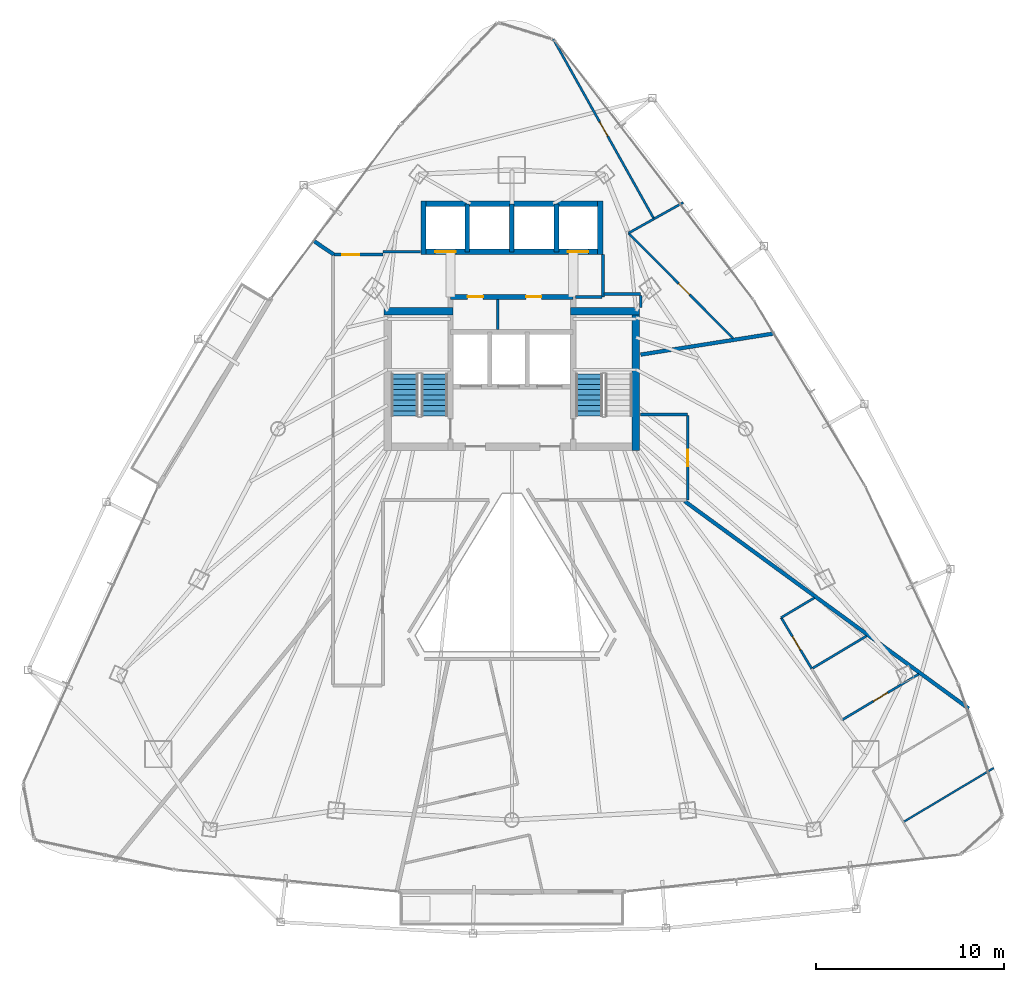
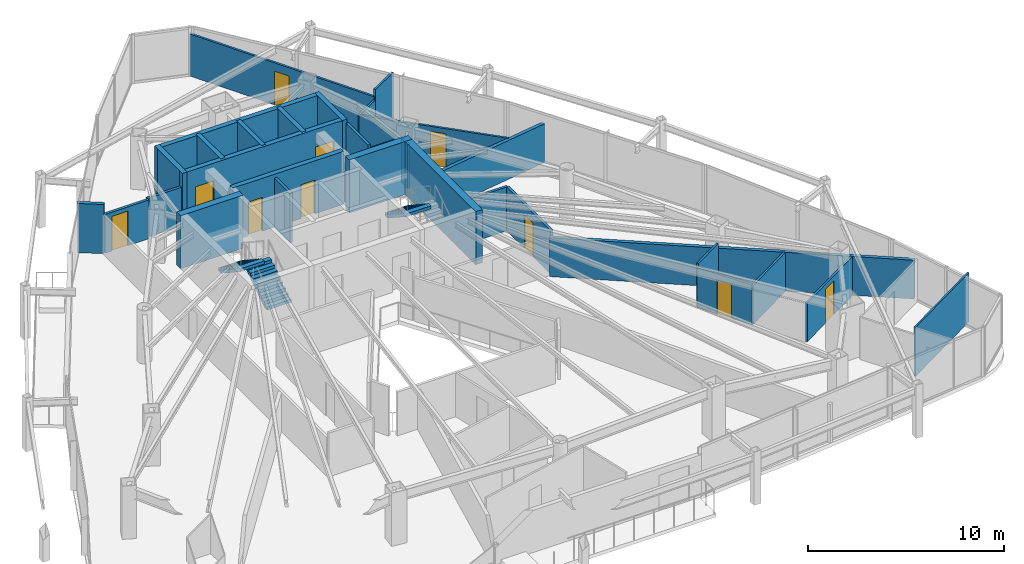
# One storey, part 29 of 33: 32 walls, 10 doors, 3 stair flights, 10 openings, 2 elements without a shape of their own.
"""IFC4 building model written with IfcOpenShell, lengths in metres."""

from ifc_helpers import new_model, si_unit, direction, frame, frame_2d, origin, place, context, subcontext, project, spatial, polyline, rectangle, outline, extrude, material, layer, layer_set, type_object, element, fill, aggregate, save


model = new_model("IFC4")

# Units and contexts
model_context = context("Model", 3, precision=1e-05, world=origin(), true_north=direction((0.0, 1.0)))
body_context = subcontext(model_context, "Body", "Model", "MODEL_VIEW")
ifc_project = project(units=[si_unit("LENGTHUNIT", "METRE"), si_unit("AREAUNIT", "SQUARE_METRE"), si_unit("VOLUMEUNIT", "CUBIC_METRE"), si_unit("PLANEANGLEUNIT", "RADIAN"), si_unit("MASSUNIT", "GRAM", prefix="KILO")], contexts=[model_context])

# Site, building, storey
site_placement = place(None, origin())
site = spatial("IfcSite", under=ifc_project, at=site_placement, CompositionType="ELEMENT")
building_placement = place(site_placement, origin())
building = spatial("IfcBuilding", under=site, at=building_placement, Name="Orvanel Arch Residences", CompositionType="ELEMENT")
storey_placement = place(building_placement, frame((0.0, 0.0, 116.60009765625)))
storey = spatial("IfcBuildingStorey", under=building, at=storey_placement, Name="L32", CompositionType="ELEMENT", Elevation=116.60009765625)

# Walls
ifc_material_1 = material(Name="Concrete N50 (50 MPa)", Category="concrete")
ifc_layer_1 = layer(ifc_material_1, 0.25)
ifc_layer_set_1 = layer_set([ifc_layer_1], Name="Concrete N50 (50 MPa)")
wall_type_1 = type_object("IfcWallType", Name="SW-CORE-250", PredefinedType="SHEAR", material=ifc_layer_set_1)
for number, where, z_axis, x_axis, name in (
    (1, (30.625, 37.050048828125, 0.0), (0.0, 0.0, 1.0), (0.0, 1.0, 0.0), "L32 Passenger Lift Inter-Shaft Wall P35"),
    (2, (33.0, 37.050048828125, 0.0), (0.0, 0.0, 1.0), (0.0, 1.0, 0.0), "L32 Passenger Lift Inter-Shaft Wall P56"),
    (3, (35.375, 37.050048828125, 0.0), (0.0, 0.0, 1.0), (0.0, 1.0, 0.0), "L32 Passenger Lift Inter-Shaft Wall P64"),
):
    element("IfcWall", number, at=place(storey_placement, frame(where, z_axis=z_axis, x_axis=x_axis)), inside=storey, type_object=wall_type_1, Name=name, PredefinedType="SHEAR", context=body_context, shape_type="SweptSolid", body=[
        extrude(rectangle(XDim=2.550048828125, YDim=0.25, at=frame_2d((1.27490234375, 0.0))), origin(), (0.0, 0.0, 1.0), 3.2998046875),
    ])

# Wall, openings, doors
ifc_material_2 = material(Name="Concrete S65 (65 MPa)", Category="concrete")
ifc_layer_2 = layer(ifc_material_2, 0.280029296875)
ifc_layer_set_2 = layer_set([ifc_layer_2], Name="Concrete S65 (65 MPa)")
wall_type_2 = type_object("IfcWallType", Name="SW-CORE-280", PredefinedType="SHEAR", material=ifc_layer_set_2)
wall_1_placement = place(storey_placement, frame((29.739990234375, 34.64990234375, 0.0), z_axis=(0.0, 0.0, 1.0), x_axis=(1.0, 0.0, 0.0)))
wall_1 = element("IfcWall", 4, at=wall_1_placement, inside=storey, type_object=wall_type_2, Name="L32 Core Service Band North Shear Wall", PredefinedType="SHEAR", context=body_context, shape_type="SweptSolid", body=[
    extrude(rectangle(XDim=6.52001953125, YDim=0.280029296875, at=frame_2d((3.260009765625, 0.0))), origin(), (0.0, 0.0, 1.0), 3.2998046875),
])
opening_1_placement = place(wall_1_placement, frame((0.9150390625, 0.0, 0.0)))
opening_1 = element("IfcOpeningElement", 5, at=opening_1_placement, cuts=wall_1, Name="Opening DS-082", PredefinedType="OPENING", context=body_context, shape_type="SweptSolid", body=[
    extrude(rectangle(XDim=0.820068359375, YDim=2.10009765625, at=frame_2d((0.41015625, 1.050048828125))), frame((0.0, 0.14990234375, 0.0), z_axis=(0.0, -1.0, 0.0), x_axis=(1.0, 0.0, 0.0)), (0.0, 0.0, 1.0), 0.300048828125),
])
opening_2_placement = place(wall_1_placement, frame((4.014892578125, 0.0, 0.0)))
opening_2 = element("IfcOpeningElement", 6, at=opening_2_placement, cuts=wall_1, Name="Opening DW-082", PredefinedType="OPENING", context=body_context, shape_type="SweptSolid", body=[
    extrude(rectangle(XDim=0.820068359375, YDim=2.10009765625, at=frame_2d((0.41015625, 1.050048828125))), frame((0.0, 0.14990234375, 0.0), z_axis=(0.0, -1.0, 0.0), x_axis=(1.0, 0.0, 0.0)), (0.0, 0.0, 1.0), 0.300048828125),
])
ifc_material_3 = material(Name="Galvanised steel fire-resisting door assembly", Category="steel")
door_type_1 = type_object("IfcDoorType", Name="DR-SVC-820", OperationType="NOTDEFINED", PredefinedType="DOOR", material=ifc_material_3)
door_1_placement = place(opening_1_placement, origin())
door_1 = element("IfcDoor", 7, at=door_1_placement, inside=storey, type_object=door_type_1, Name="DR-L32-CSVC-1 L32 Floor Cleaner's Store Door", OperationType="SINGLE_SWING_LEFT", OverallHeight=2.10009765625, OverallWidth=0.820068359375, PredefinedType="DOOR", context=body_context, shape_type="SweptSolid", body=[
    extrude(rectangle(XDim=0.820068359375, YDim=2.10009765625, at=frame_2d((0.41015625, 1.050048828125))), frame((0.0, 0.02490234375, 0.0), z_axis=(0.0, -1.0, 0.0), x_axis=(1.0, 0.0, 0.0)), (0.0, 0.0, 1.0), 0.050048828125),
])
fill(opening_1, door_1)
ifc_material_4 = material(Name="Solid-core European oak veneer fire door leaf", Category="wood")
door_type_2 = type_object("IfcDoorType", Name="DR-WET-820", OperationType="NOTDEFINED", PredefinedType="DOOR", material=ifc_material_4)
door_2_placement = place(opening_2_placement, origin())
door_2 = element("IfcDoor", 8, at=door_2_placement, inside=storey, type_object=door_type_2, Name="DR-L32-CSVC-2 L32 Core Accessible WC Door", OperationType="SINGLE_SWING_LEFT", OverallHeight=2.10009765625, OverallWidth=0.820068359375, PredefinedType="DOOR", context=body_context, shape_type="SweptSolid", body=[
    extrude(rectangle(XDim=0.820068359375, YDim=2.10009765625, at=frame_2d((0.41015625, 1.050048828125))), frame((0.0, 0.02490234375, 0.0), z_axis=(0.0, -1.0, 0.0), x_axis=(1.0, 0.0, 0.0)), (0.0, 0.0, 1.0), 0.050048828125),
])
fill(opening_2, door_2)

wall_2_placement = place(storey_placement, frame((37.840087890625, 37.050048828125, 0.0), z_axis=(0.0, 0.0, 1.0), x_axis=(-1.0, 0.0, 0.0)))
wall_2 = element("IfcWall", 9, at=wall_2_placement, inside=storey, type_object=wall_type_2, Name="L32 Passenger Lift Bank Front Shear Wall", PredefinedType="SHEAR", context=body_context, shape_type="SweptSolid", body=[
    extrude(rectangle(XDim=9.68017578125, YDim=0.280029296875, at=frame_2d((4.840087890625, 0.0))), origin(), (0.0, 0.0, 1.0), 3.2998046875),
])
opening_3_placement = place(wall_2_placement, frame((7.81494140625, 0.0, 0.0)))
opening_3 = element("IfcOpeningElement", 10, at=opening_3_placement, cuts=wall_2, Name="Opening LD-110", PredefinedType="OPENING", context=body_context, shape_type="SweptSolid", body=[
    extrude(rectangle(XDim=1.10009765625, YDim=2.199951171875, at=frame_2d((0.550048828125, 1.10009765625))), frame((0.0, 0.14990234375, 0.0), z_axis=(0.0, -1.0, 0.0), x_axis=(1.0, 0.0, 0.0)), (0.0, 0.0, 1.0), 0.300048828125),
])
opening_4_placement = place(wall_2_placement, frame((0.764892578125, 0.0, 0.0)))
opening_4 = element("IfcOpeningElement", 11, at=opening_4_placement, cuts=wall_2, Name="Opening LD-110", PredefinedType="OPENING", context=body_context, shape_type="SweptSolid", body=[
    extrude(rectangle(XDim=1.10009765625, YDim=2.199951171875, at=frame_2d((0.550048828125, 1.10009765625))), frame((0.0, 0.14990234375, 0.0), z_axis=(0.0, -1.0, 0.0), x_axis=(1.0, 0.0, 0.0)), (0.0, 0.0, 1.0), 0.300048828125),
])
door_type_3 = type_object("IfcDoorType", Name="DR-LFT-1100", OperationType="NOTDEFINED", PredefinedType="DOOR", material=ifc_material_3)
door_3_placement = place(opening_3_placement, origin())
door_3 = element("IfcDoor", 12, at=door_3_placement, inside=storey, type_object=door_type_3, Name="LD-P3-L32 L32 Passenger Lift P3 Sliding Landing Door", OperationType="DOUBLE_DOOR_SLIDING", OverallHeight=2.199951171875, OverallWidth=1.10009765625, PredefinedType="DOOR", context=body_context, shape_type="SweptSolid", body=[
    extrude(rectangle(XDim=1.10009765625, YDim=2.199951171875, at=frame_2d((0.550048828125, 1.10009765625))), frame((0.0, 0.02490234375, 0.0), z_axis=(0.0, -1.0, 0.0), x_axis=(1.0, 0.0, 0.0)), (0.0, 0.0, 1.0), 0.050048828125),
])
fill(opening_3, door_3)
door_4_placement = place(opening_4_placement, origin())
door_4 = element("IfcDoor", 13, at=door_4_placement, inside=storey, type_object=door_type_3, Name="LD-P4-L32 L32 Passenger Lift P4 Sliding Landing Door", OperationType="DOUBLE_DOOR_SLIDING", OverallHeight=2.199951171875, OverallWidth=1.10009765625, PredefinedType="DOOR", context=body_context, shape_type="SweptSolid", body=[
    extrude(rectangle(XDim=1.10009765625, YDim=2.199951171875, at=frame_2d((0.550048828125, 1.10009765625))), frame((0.0, 0.02490234375, 0.0), z_axis=(0.0, -1.0, 0.0), x_axis=(1.0, 0.0, 0.0)), (0.0, 0.0, 1.0), 0.050048828125),
])
fill(opening_4, door_4)

# Walls
wall_3_placement = place(storey_placement, frame((28.159912109375, 39.60009765625, 0.0), z_axis=(0.0, 0.0, 1.0), x_axis=(1.0, 0.0, 0.0)))
element("IfcWall", 14, at=wall_3_placement, inside=storey, type_object=wall_type_2, Name="L32 Passenger Lift Bank North Shear Wall", PredefinedType="SHEAR", context=body_context, shape_type="SweptSolid", body=[
    extrude(rectangle(XDim=9.68017578125, YDim=0.280029296875, at=frame_2d((4.840087890625, 0.0))), origin(), (0.0, 0.0, 1.0), 3.2998046875),
])
for number, where, z_axis, x_axis, name in (
    (15, (28.300048828125, 36.909912109375, 0.0), (0.0, 0.0, 1.0), (0.0, 1.0, 0.0), "L32 Passenger Lift Bank West Shear Wall"),
    (16, (37.699951171875, 36.909912109375, 0.0), (0.0, 0.0, 1.0), (0.0, 1.0, 0.0), "L32 Passenger Lift Bank East Shear Wall"),
):
    element("IfcWall", number, at=place(storey_placement, frame(where, z_axis=z_axis, x_axis=x_axis)), inside=storey, type_object=wall_type_2, Name=name, PredefinedType="SHEAR", context=body_context, shape_type="SweptSolid", body=[
        extrude(rectangle(XDim=2.830078125, YDim=0.280029296875, at=frame_2d((1.4150390625, 0.0))), origin(), (0.0, 0.0, 1.0), 3.2998046875),
    ])
ifc_layer_3 = layer(ifc_material_2, 0.39990234375)
ifc_layer_set_3 = layer_set([ifc_layer_3], Name="Concrete S65 (65 MPa)")
wall_type_3 = type_object("IfcWallType", Name="SW-CORE-400", PredefinedType="SHEAR", material=ifc_layer_set_3)
wall_4_placement = place(storey_placement, frame((26.199951171875, 33.89990234375, 0.0), z_axis=(0.0, 0.0, 1.0), x_axis=(1.0, 0.0, 0.0)))
element("IfcWall", 17, at=wall_4_placement, inside=storey, type_object=wall_type_3, Name="L32 West Stair North Shear Wall", PredefinedType="SHEAR", context=body_context, shape_type="SweptSolid", body=[
    extrude(rectangle(XDim=3.679931640625, YDim=0.39990234375, at=frame_2d((1.83984375, 0.0))), origin(), (0.0, 0.0, 1.0), 3.2998046875),
])
wall_5_placement = place(storey_placement, frame((39.60009765625, 26.5, 0.0), z_axis=(0.0, 0.0, 1.0), x_axis=(0.0, 1.0, 0.0)))
element("IfcWall", 18, at=wall_5_placement, inside=storey, type_object=wall_type_3, Name="L32 East Stair Shear Wall", PredefinedType="SHEAR", context=body_context, shape_type="SweptSolid", body=[
    extrude(rectangle(XDim=7.60009765625, YDim=0.39990234375, at=frame_2d((3.800048828125, 0.0))), origin(), (0.0, 0.0, 1.0), 3.2998046875),
])
wall_6_placement = place(storey_placement, frame((36.1201171875, 33.89990234375, 0.0), z_axis=(0.0, 0.0, 1.0), x_axis=(1.0, 0.0, 0.0)))
element("IfcWall", 19, at=wall_6_placement, inside=storey, type_object=wall_type_3, Name="L32 East Stair North Shear Wall", PredefinedType="SHEAR", context=body_context, shape_type="SweptSolid", body=[
    extrude(rectangle(XDim=3.679931640625, YDim=0.39990234375, at=frame_2d((1.83984375, 0.0))), origin(), (0.0, 0.0, 1.0), 3.2998046875),
])
ifc_material_5 = material(Name="Fire-rated plasterboard lined steel stud partition", Category="steel")
ifc_layer_4 = layer(ifc_material_5, 0.14990234375)
ifc_layer_set_4 = layer_set([ifc_layer_4], Name="Fire-rated plasterboard lined steel stud partition")
wall_type_4 = type_object("IfcWallType", Name="W-COR-150", PredefinedType="PARTITIONING", material=ifc_layer_set_4)
wall_7_placement = place(storey_placement, frame((37.85009765625, 34.64990234375, 0.0), z_axis=(0.0, 0.0, 1.0), x_axis=(0.0, 1.0, 0.0)))
element("IfcWall", 20, at=wall_7_placement, inside=storey, type_object=wall_type_4, Name="L32 Passenger Lift Lobby East Closure Wall", PredefinedType="PARTITIONING", context=body_context, shape_type="SweptSolid", body=[
    extrude(rectangle(XDim=2.260009765625, YDim=0.14990234375, at=frame_2d((1.1298828125, 0.0))), origin(), (0.0, 0.0, 1.0), 3.059814453125),
])
wall_8_placement = place(storey_placement, frame((36.385009765625, 34.64990234375, 0.0), z_axis=(0.0, 0.0, 1.0), x_axis=(1.0, 0.0, 0.0)))
element("IfcWall", 21, at=wall_8_placement, inside=storey, type_object=wall_type_4, Name="L32 Passenger Lift Lobby South-East Wall", PredefinedType="PARTITIONING", context=body_context, shape_type="SweptSolid", body=[
    extrude(rectangle(XDim=1.405029296875, YDim=0.14990234375, at=frame_2d((0.70263671875, 0.0))), origin(), (0.0, 0.0, 1.0), 2.4248046875),
])

# Wall, opening, door
wall_9_placement = place(storey_placement, frame((23.56005859375, 36.89990234375, 0.0), z_axis=(0.0, 0.0, 1.0), x_axis=(1.0, 0.0, 0.0)))
wall_9 = element("IfcWall", 22, at=wall_9_placement, inside=storey, type_object=wall_type_4, Name="L32 Corridor Fire-Rated Partition", PredefinedType="PARTITIONING", context=body_context, shape_type="SweptSolid", body=[
    extrude(rectangle(XDim=2.58984375, YDim=0.14990234375, at=frame_2d((1.294921875, 0.0))), origin(), (0.0, 0.0, 1.0), 2.412841796875),
])
opening_5_placement = place(wall_9_placement, frame((0.4140625, 0.0, 0.0)))
opening_5 = element("IfcOpeningElement", 23, at=opening_5_placement, cuts=wall_9, Name="Opening DA-092", PredefinedType="OPENING", context=body_context, shape_type="SweptSolid", body=[
    extrude(rectangle(XDim=0.919921875, YDim=2.14990234375, at=frame_2d((0.4599609375, 1.074951171875))), frame((0.0, 0.0849609375, 0.0), z_axis=(0.0, -1.0, 0.0), x_axis=(1.0, 0.0, 0.0)), (0.0, 0.0, 1.0), 0.169921875),
])
door_type_4 = type_object("IfcDoorType", Name="DR-APT-920", OperationType="NOTDEFINED", PredefinedType="DOOR", material=ifc_material_4)
door_5_placement = place(opening_5_placement, origin())
door_5 = element("IfcDoor", 24, at=door_5_placement, inside=storey, type_object=door_type_4, Name="DR-L32-E-ENT L32 Studio E Entrance Door", OperationType="SINGLE_SWING_RIGHT", OverallHeight=2.14990234375, OverallWidth=0.919921875, PredefinedType="DOOR", context=body_context, shape_type="SweptSolid", body=[
    extrude(rectangle(XDim=0.919921875, YDim=2.14990234375, at=frame_2d((0.4599609375, 1.074951171875))), frame((0.0, 0.02490234375, 0.0), z_axis=(0.0, -1.0, 0.0), x_axis=(1.0, 0.0, 0.0)), (0.0, 0.0, 1.0), 0.050048828125),
])
fill(opening_5, door_5)

# Wall
wall_10_placement = place(storey_placement, frame((39.85009765625, 28.39990234375, 0.0), z_axis=(0.0, 0.0, 1.0), x_axis=(1.0, 0.0, 0.0)))
element("IfcWall", 25, at=wall_10_placement, inside=storey, type_object=wall_type_4, Name="L32 Corridor Fire-Rated Partition", PredefinedType="PARTITIONING", context=body_context, shape_type="SweptSolid", body=[
    extrude(rectangle(XDim=2.5, YDim=0.14990234375, at=frame_2d((1.25, 0.0))), origin(), (0.0, 0.0, 1.0), 2.720947265625),
])

# Wall, opening, door
wall_11_placement = place(storey_placement, frame((42.35009765625, 28.340087890625, 0.0), z_axis=(0.0, 0.0, 1.0), x_axis=(0.0, -1.0, 0.0)))
wall_11 = element("IfcWall", 26, at=wall_11_placement, inside=storey, type_object=wall_type_4, Name="L32 Corridor Fire-Rated Partition", PredefinedType="PARTITIONING", context=body_context, shape_type="SweptSolid", body=[
    extrude(rectangle(XDim=4.489990234375, YDim=0.14990234375, at=frame_2d((2.2451171875, 0.0))), origin(), (0.0, 0.0, 1.0), 2.720947265625),
])
opening_6_placement = place(wall_11_placement, frame((1.804931640625, 0.0, 0.0)))
opening_6 = element("IfcOpeningElement", 27, at=opening_6_placement, cuts=wall_11, Name="Opening DI-088", PredefinedType="OPENING", context=body_context, shape_type="SweptSolid", body=[
    extrude(rectangle(XDim=0.8798828125, YDim=2.10009765625, at=frame_2d((0.43994140625, 1.050048828125))), frame((0.0, 0.0849609375, 0.0), z_axis=(0.0, -1.0, 0.0), x_axis=(1.0, 0.0, 0.0)), (0.0, 0.0, 1.0), 0.169921875),
])
door_type_5 = type_object("IfcDoorType", Name="DR-INT-880", OperationType="NOTDEFINED", PredefinedType="DOOR", material=ifc_material_4)
door_6_placement = place(opening_6_placement, origin())
door_6 = element("IfcDoor", 28, at=door_6_placement, inside=storey, type_object=door_type_5, Name="DR-L32-SHRD-FB6 L32 Co-Working Study Office F Door", OperationType="SINGLE_SWING_LEFT", OverallHeight=2.10009765625, OverallWidth=0.8798828125, PredefinedType="DOOR", context=body_context, shape_type="SweptSolid", body=[
    extrude(rectangle(XDim=0.8798828125, YDim=2.10009765625, at=frame_2d((0.43994140625, 1.050048828125))), frame((0.0, 0.02490234375, 0.0), z_axis=(0.0, -1.0, 0.0), x_axis=(1.0, 0.0, 0.0)), (0.0, 0.0, 1.0), 0.050048828125),
])
fill(opening_6, door_6)

# Walls
wall_12_placement = place(storey_placement, frame((26.14990234375, 37.050048828125, 0.0), z_axis=(0.0, 0.0, 1.0), x_axis=(1.0, 0.0, 0.0)))
element("IfcWall", 29, at=wall_12_placement, inside=storey, type_object=wall_type_4, Name="L32 Core Perimeter Partition", PredefinedType="PARTITIONING", context=body_context, shape_type="SweptSolid", body=[
    extrude(rectangle(XDim=2.0, YDim=0.14990234375, at=frame_2d((1.0, 0.0))), origin(), (0.0, 0.0, 1.0), 2.412841796875),
])
wall_13_placement = place(storey_placement, frame((37.909912109375, 34.800048828125, 0.0), z_axis=(0.0, 0.0, 1.0), x_axis=(1.0, 0.0, 0.0)))
element("IfcWall", 30, at=wall_13_placement, inside=storey, type_object=wall_type_4, Name="L32 Core Perimeter Partition", PredefinedType="PARTITIONING", context=body_context, shape_type="SweptSolid", body=[
    extrude(rectangle(XDim=1.940185546875, YDim=0.14990234375, at=frame_2d((0.97021484375, 0.0))), origin(), (0.0, 0.0, 1.0), 2.720947265625),
])
wall_14_placement = place(storey_placement, frame((39.85009765625, 34.739990234375, 0.0), z_axis=(0.0, 0.0, 1.0), x_axis=(0.0, -1.0, 0.0)))
element("IfcWall", 31, at=wall_14_placement, inside=storey, type_object=wall_type_4, Name="L32 Core Perimeter Partition", PredefinedType="PARTITIONING", context=body_context, shape_type="SweptSolid", body=[
    extrude(rectangle(XDim=0.639892578125, YDim=0.14990234375, at=frame_2d((0.31982421875, 0.0))), origin(), (0.0, 0.0, 1.0), 2.720947265625),
])
ifc_layer_5 = layer(ifc_material_5, 0.199951171875)
ifc_layer_set_5 = layer_set([ifc_layer_5], Name="Fire-rated plasterboard lined steel stud partition")
wall_type_5 = type_object("IfcWallType", Name="W-DEM-200", PredefinedType="PARTITIONING", material=ifc_layer_set_5)
wall_15_placement = place(storey_placement, frame((22.424072265625, 37.659912109375, 0.0), z_axis=(0.0, 0.0, 1.0), x_axis=(0.82818018374, -0.560461937388, 0.0)))
element("IfcWall", 32, at=wall_15_placement, inside=storey, type_object=wall_type_5, Name="L32 Inter-Tenancy Acoustic Demising Wall", PredefinedType="PARTITIONING", context=body_context, shape_type="SweptSolid", body=[
    extrude(rectangle(XDim=1.35595703125, YDim=0.199951171875, at=frame_2d((0.677978515625, 0.0))), origin(), (0.0, 0.0, 1.0), 3.059814453125),
])
wall_16_placement = place(storey_placement, frame((42.19189453125, 23.7900390625, 0.0), z_axis=(0.0, 0.0, 1.0), x_axis=(0.807710254014, -0.589579634621, 0.0)))
element("IfcWall", 33, at=wall_16_placement, inside=storey, type_object=wall_type_5, Name="L32 Inter-Tenancy Acoustic Demising Wall", PredefinedType="PARTITIONING", context=body_context, shape_type="SweptSolid", body=[
    extrude(rectangle(XDim=18.69140625, YDim=0.199951171875, at=frame_2d((9.345703125, 0.0))), origin(), (0.0, 0.0, 1.0), 2.412841796875),
])
wall_17_placement = place(storey_placement, frame((46.97607421875, 32.714111328125, 0.0), z_axis=(0.0, 0.0, 1.0), x_axis=(-0.987677489662, -0.156502959767, 0.0)))
element("IfcWall", 34, at=wall_17_placement, inside=storey, type_object=wall_type_5, Name="L32 Inter-Tenancy Acoustic Demising Wall", PredefinedType="PARTITIONING", context=body_context, shape_type="SweptSolid", body=[
    extrude(rectangle(XDim=7.21484375, YDim=0.199951171875, at=frame_2d((3.607421875, 0.0))), origin(), (0.0, 0.0, 1.0), 2.412841796875),
])
ifc_material_6 = material(Name="Acoustic plasterboard lined twin-stud partition", Category="gypsum")
ifc_layer_6 = layer(ifc_material_6, 0.10009765625)
ifc_layer_set_6 = layer_set([ifc_layer_6], Name="Acoustic plasterboard lined twin-stud partition")
wall_type_6 = type_object("IfcWallType", Name="W-INT-100", PredefinedType="PARTITIONING", material=ifc_layer_set_6)
wall_18_placement = place(storey_placement, frame((58.616943359375, 9.610107421875, 0.0), z_axis=(0.0, 0.0, 1.0), x_axis=(-0.858472602363, -0.512859426151, 0.0)))
element("IfcWall", 35, at=wall_18_placement, inside=storey, type_object=wall_type_6, Name="L32 Flat B Internal Partition", PredefinedType="PARTITIONING", context=body_context, shape_type="SweptSolid", body=[
    extrude(rectangle(XDim=5.59814453125, YDim=0.10009765625, at=frame_2d((2.799072265625, 0.0))), origin(), (0.0, 0.0, 1.0), 3.059814453125),
])
ifc_layer_7 = layer(ifc_material_5, 0.14990234375)
ifc_layer_set_7 = layer_set([ifc_layer_7], Name="Fire-rated plasterboard lined steel stud partition")
wall_type_7 = type_object("IfcWallType", Name="W-ST-150", PredefinedType="PARTITIONING", material=ifc_layer_set_7)
wall_19_placement = place(storey_placement, frame((32.25, 32.9150390625, 0.0), z_axis=(0.0, 0.0, 1.0), x_axis=(0.0, 1.0, 0.0)))
element("IfcWall", 36, at=wall_19_placement, inside=storey, type_object=wall_type_7, Name="L32 Core Service Partition 1", PredefinedType="PARTITIONING", context=body_context, shape_type="SweptSolid", body=[
    extrude(rectangle(XDim=1.60986328125, YDim=0.14990234375, at=frame_2d((0.804931640625, 0.0))), origin(), (0.0, 0.0, 1.0), 3.059814453125),
])
ifc_layer_8 = layer(ifc_material_6, 0.1201171875)
ifc_layer_set_8 = layer_set([ifc_layer_8], Name="Acoustic plasterboard lined twin-stud partition")
wall_type_8 = type_object("IfcWallType", Name="W-WET-120", PredefinedType="PARTITIONING", material=ifc_layer_set_8)
wall_20_placement = place(storey_placement, frame((49.080078125, 18.656982421875, 0.0), z_axis=(0.0, 0.0, 1.0), x_axis=(-0.858394155401, -0.51299071529, 0.0)))
element("IfcWall", 37, at=wall_20_placement, inside=storey, type_object=wall_type_8, Name="L32 Flat B Bathroom Partition", PredefinedType="PARTITIONING", context=body_context, shape_type="SweptSolid", body=[
    extrude(rectangle(XDim=2.052734375, YDim=0.1201171875, at=frame_2d((1.0263671875, 0.0))), origin(), (0.0, 0.0, 1.0), 2.720947265625),
])

# Wall, opening, door
wall_21_placement = place(storey_placement, frame((47.318115234375, 17.60400390625, 0.0), z_axis=(0.0, 0.0, 1.0), x_axis=(0.51313361254, -0.858308741469, 0.0)))
wall_21 = element("IfcWall", 38, at=wall_21_placement, inside=storey, type_object=wall_type_8, Name="L32 Flat B Bathroom Partition", PredefinedType="PARTITIONING", context=body_context, shape_type="SweptSolid", body=[
    extrude(rectangle(XDim=3.16455078125, YDim=0.1201171875, at=frame_2d((1.582275390625, 0.0))), origin(), (0.0, 0.0, 1.0), 2.491943359375),
])
opening_7_placement = place(wall_21_placement, frame((1.172119140625, 0.0, 0.0)))
opening_7 = element("IfcOpeningElement", 39, at=opening_7_placement, cuts=wall_21, Name="Opening DW-082", PredefinedType="OPENING", context=body_context, shape_type="SweptSolid", body=[
    extrude(rectangle(XDim=0.820068359375, YDim=2.10009765625, at=frame_2d((0.41015625, 1.050048828125))), frame((0.0, 0.070068359375, 0.0), z_axis=(0.0, -1.0, 0.0), x_axis=(1.0, 0.0, 0.0)), (0.0, 0.0, 1.0), 0.14013671875),
])
door_7_placement = place(opening_7_placement, origin())
door_7 = element("IfcDoor", 40, at=door_7_placement, inside=storey, type_object=door_type_2, Name="DR-L32-B-BATH L32 Flat B Bathroom Door", OperationType="SINGLE_SWING_RIGHT", OverallHeight=2.10009765625, OverallWidth=0.820068359375, PredefinedType="DOOR", context=body_context, shape_type="SweptSolid", body=[
    extrude(rectangle(XDim=0.820068359375, YDim=2.10009765625, at=frame_2d((0.41015625, 1.050048828125))), frame((0.0, 0.02490234375, 0.0), z_axis=(0.0, -1.0, 0.0), x_axis=(1.0, 0.0, 0.0)), (0.0, 0.0, 1.0), 0.050048828125),
])
fill(opening_7, door_7)

wall_22_placement = place(storey_placement, frame((50.56494140625, 12.172119140625, 0.0), z_axis=(0.0, 0.0, 1.0), x_axis=(0.858473034369, 0.512858703018, 0.0)))
wall_22 = element("IfcWall", 41, at=wall_22_placement, inside=storey, type_object=wall_type_8, Name="L32 Flat B Internal Partition", PredefinedType="PARTITIONING", context=body_context, shape_type="SweptSolid", body=[
    extrude(rectangle(XDim=4.739990234375, YDim=0.1201171875, at=frame_2d((2.3701171875, 0.0))), origin(), (0.0, 0.0, 1.0), 2.412841796875),
])
opening_8_placement = place(wall_22_placement, frame((1.929931640625, 0.0, 0.0)))
opening_8 = element("IfcOpeningElement", 42, at=opening_8_placement, cuts=wall_22, Name="Opening DI-088", PredefinedType="OPENING", context=body_context, shape_type="SweptSolid", body=[
    extrude(rectangle(XDim=0.8798828125, YDim=2.10009765625, at=frame_2d((0.43994140625, 1.050048828125))), frame((0.0, 0.070068359375, 0.0), z_axis=(0.0, -1.0, 0.0), x_axis=(1.0, 0.0, 0.0)), (0.0, 0.0, 1.0), 0.14013671875),
])
door_8_placement = place(opening_8_placement, origin())
door_8 = element("IfcDoor", 43, at=door_8_placement, inside=storey, type_object=door_type_5, Name="DR-L32-B-KIT L32 Flat B Kitchen Door", OperationType="SINGLE_SWING_LEFT", OverallHeight=2.10009765625, OverallWidth=0.8798828125, PredefinedType="DOOR", context=body_context, shape_type="SweptSolid", body=[
    extrude(rectangle(XDim=0.8798828125, YDim=2.10009765625, at=frame_2d((0.43994140625, 1.050048828125))), frame((0.0, 0.02490234375, 0.0), z_axis=(0.0, -1.0, 0.0), x_axis=(1.0, 0.0, 0.0)), (0.0, 0.0, 1.0), 0.050048828125),
])
fill(opening_8, door_8)

# Walls
wall_23_placement = place(storey_placement, frame((51.85693359375, 16.6298828125, 0.0), z_axis=(0.0, 0.0, 1.0), x_axis=(-0.858411372428, -0.512961904713, 0.0)))
element("IfcWall", 44, at=wall_23_placement, inside=storey, type_object=wall_type_8, Name="L32 Flat B Bathroom Partition", PredefinedType="PARTITIONING", context=body_context, shape_type="SweptSolid", body=[
    extrude(rectangle(XDim=3.395751953125, YDim=0.1201171875, at=frame_2d((1.69775390625, 0.0))), origin(), (0.0, 0.0, 1.0), 2.412841796875),
])
wall_24_placement = place(storey_placement, frame((40.556884765625, 38.800048828125, 0.0), z_axis=(0.0, 0.0, 1.0), x_axis=(-0.872825188639, -0.488032980521, 0.0)))
element("IfcWall", 45, at=wall_24_placement, inside=storey, type_object=wall_type_8, Name="L32 Studio E Bathroom Partition", PredefinedType="PARTITIONING", context=body_context, shape_type="SweptSolid", body=[
    extrude(rectangle(XDim=1.55126953125, YDim=0.1201171875, at=frame_2d((0.775634765625, 0.0))), origin(), (0.0, 0.0, 1.0), 2.412841796875),
])

# Wall, opening, door
wall_25_placement = place(storey_placement, frame((39.202880859375, 38.04296875, 0.0), z_axis=(0.0, 0.0, 1.0), x_axis=(0.704889894519, -0.709316739267, 0.0)))
wall_25 = element("IfcWall", 46, at=wall_25_placement, inside=storey, type_object=wall_type_8, Name="L32 Studio E Bathroom Partition", PredefinedType="PARTITIONING", context=body_context, shape_type="SweptSolid", body=[
    extrude(rectangle(XDim=7.886474609375, YDim=0.1201171875, at=frame_2d((3.943359375, 0.0))), origin(), (0.0, 0.0, 1.0), 2.412841796875),
])
opening_9_placement = place(wall_25_placement, frame((3.780029296875, 0.0, 0.0)))
opening_9 = element("IfcOpeningElement", 47, at=opening_9_placement, cuts=wall_25, Name="Opening DW-082", PredefinedType="OPENING", context=body_context, shape_type="SweptSolid", body=[
    extrude(rectangle(XDim=0.820068359375, YDim=2.10009765625, at=frame_2d((0.41015625, 1.050048828125))), frame((0.0, 0.070068359375, 0.0), z_axis=(0.0, -1.0, 0.0), x_axis=(1.0, 0.0, 0.0)), (0.0, 0.0, 1.0), 0.14013671875),
])
door_9_placement = place(opening_9_placement, origin())
door_9 = element("IfcDoor", 48, at=door_9_placement, inside=storey, type_object=door_type_2, Name="DR-L32-E-BATH L32 Studio E Bathroom Door", OperationType="SINGLE_SWING_RIGHT", OverallHeight=2.10009765625, OverallWidth=0.820068359375, PredefinedType="DOOR", context=body_context, shape_type="SweptSolid", body=[
    extrude(rectangle(XDim=0.820068359375, YDim=2.10009765625, at=frame_2d((0.41015625, 1.050048828125))), frame((0.0, 0.02490234375, 0.0), z_axis=(0.0, -1.0, 0.0), x_axis=(1.0, 0.0, 0.0)), (0.0, 0.0, 1.0), 0.050048828125),
])
fill(opening_9, door_9)

wall_26_placement = place(storey_placement, frame((35.205078125, 48.35693359375, 0.0), z_axis=(0.0, 0.0, 1.0), x_axis=(0.488599975334, -0.872507916356, 0.0)))
wall_26 = element("IfcWall", 49, at=wall_26_placement, inside=storey, type_object=wall_type_8, Name="L32 Studio E Internal Partition", PredefinedType="PARTITIONING", context=body_context, shape_type="SweptSolid", body=[
    extrude(rectangle(XDim=10.953369140625, YDim=0.1201171875, at=frame_2d((5.4765625, 0.0))), origin(), (0.0, 0.0, 1.0), 2.618896484375),
])
opening_10_placement = place(wall_26_placement, frame((5.037109375, 0.0, 0.0)))
opening_10 = element("IfcOpeningElement", 50, at=opening_10_placement, cuts=wall_26, Name="Opening DI-088", PredefinedType="OPENING", context=body_context, shape_type="SweptSolid", body=[
    extrude(rectangle(XDim=0.8798828125, YDim=2.10009765625, at=frame_2d((0.43994140625, 1.050048828125))), frame((0.0, 0.070068359375, 0.0), z_axis=(0.0, -1.0, 0.0), x_axis=(1.0, 0.0, 0.0)), (0.0, 0.0, 1.0), 0.14013671875),
])
door_10_placement = place(opening_10_placement, origin())
door_10 = element("IfcDoor", 51, at=door_10_placement, inside=storey, type_object=door_type_5, Name="DR-L32-E-KIT L32 Studio E Kitchenette Door", OperationType="SINGLE_SWING_LEFT", OverallHeight=2.10009765625, OverallWidth=0.8798828125, PredefinedType="DOOR", context=body_context, shape_type="SweptSolid", body=[
    extrude(rectangle(XDim=0.8798828125, YDim=2.10009765625, at=frame_2d((0.43994140625, 1.050048828125))), frame((0.0, 0.02490234375, 0.0), z_axis=(0.0, -1.0, 0.0), x_axis=(1.0, 0.0, 0.0)), (0.0, 0.0, 1.0), 0.050048828125),
])
fill(opening_10, door_10)

# Wall
wall_27_placement = place(storey_placement, frame((40.556884765625, 38.801025390625, 0.0), z_axis=(0.0, 0.0, 1.0), x_axis=(0.872620527381, 0.488398828002, 0.0)))
element("IfcWall", 52, at=wall_27_placement, inside=storey, type_object=wall_type_8, Name="L32 Studio E Bathroom Partition", PredefinedType="PARTITIONING", context=body_context, shape_type="SweptSolid", body=[
    extrude(rectangle(XDim=1.781005859375, YDim=0.1201171875, at=frame_2d((0.890625, 0.0))), origin(), (0.0, 0.0, 1.0), 3.059814453125),
])

# Stair, stair flights
ifc_material_7 = material(Name="Precast concrete N50 (50 MPa)", Category="concrete")
stair_type = type_object("IfcStairType", Name="STR-DOG-184", PredefinedType="USERDEFINED", material=ifc_material_7)
stair_1_placement = place(storey_placement, origin())
stair_1 = element("IfcStair", 53, at=stair_1_placement, inside=storey, type_object=stair_type, Name="L32 Fire-Isolated Core Exit Stair 1", ObjectType="TWO_RETURN_STAIR", PredefinedType="USERDEFINED")
stair_flight_type_1 = type_object("IfcStairFlightType", Name="SFL-C1-184", PredefinedType="STRAIGHT", material=ifc_material_7)
stair_flight_1_placement = place(storey_placement, frame((28.889892578125, 28.320068359375, 0.0), z_axis=(0.0, 0.0, 1.0), x_axis=(0.0, 1.0, 0.0)))
stair_flight_1 = element("IfcStairFlight", 54, at=stair_flight_1_placement, type_object=stair_flight_type_1, Name="ST-1 flight 1", NumberOfRisers=9, NumberOfTreads=8, PredefinedType="STRAIGHT", RiserHeight=0.183333333, TreadLength=0.28, context=body_context, shape_type="SweptSolid", body=[
    extrude(outline(polyline([(0.0, 0.0), (0.0, 0.183349609375), (0.280029296875, 0.183349609375), (0.280029296875, 0.36669921875), (0.56005859375, 0.36669921875), (0.56005859375, 0.550048828125), (0.840087890625, 0.550048828125), (0.840087890625, 0.7333984375), (1.1201171875, 0.7333984375), (1.1201171875, 0.916748046875), (1.39990234375, 0.916748046875), (1.39990234375, 1.10009765625), (1.679931640625, 1.10009765625), (1.679931640625, 1.283447265625), (1.9599609375, 1.283447265625), (1.9599609375, 1.466552734375), (2.239990234375, 1.466552734375), (2.239990234375, 1.64990234375), (2.239990234375, 1.28759765625), (0.273681640625, 0.0), (0.0, 0.0)])), frame((0.0, 0.7099609375, 0.0), z_axis=(0.0, -1.0, 0.0), x_axis=(1.0, 0.0, 0.0)), (0.0, 0.0, 1.0), 1.419921875),
])
stair_flight_2_placement = place(storey_placement, frame((27.31005859375, 30.56005859375, 1.64990234375), z_axis=(0.0, 0.0, 1.0), x_axis=(0.0, -1.0, 0.0)))
stair_flight_2 = element("IfcStairFlight", 55, at=stair_flight_2_placement, type_object=stair_flight_type_1, Name="ST-1 flight 2", NumberOfRisers=9, NumberOfTreads=8, PredefinedType="STRAIGHT", RiserHeight=0.183333333, TreadLength=0.28, context=body_context, shape_type="SweptSolid", body=[
    extrude(outline(polyline([(0.0, 0.0), (0.0, 0.183349609375), (0.280029296875, 0.183349609375), (0.280029296875, 0.36669921875), (0.56005859375, 0.36669921875), (0.56005859375, 0.550048828125), (0.840087890625, 0.550048828125), (0.840087890625, 0.7333984375), (1.1201171875, 0.7333984375), (1.1201171875, 0.916748046875), (1.39990234375, 0.916748046875), (1.39990234375, 1.10009765625), (1.679931640625, 1.10009765625), (1.679931640625, 1.283447265625), (1.9599609375, 1.283447265625), (1.9599609375, 1.466552734375), (2.239990234375, 1.466552734375), (2.239990234375, 1.64990234375), (2.239990234375, 1.28759765625), (0.273681640625, 0.0), (0.0, 0.0)])), frame((0.0, 0.7099609375, 0.0), z_axis=(0.0, -1.0, 0.0), x_axis=(1.0, 0.0, 0.0)), (0.0, 0.0, 1.0), 1.419921875),
])
aggregate(stair_1, [stair_flight_1, stair_flight_2])

# Stair, stair flight
stair_2_placement = place(storey_placement, origin())
stair_2 = element("IfcStair", 56, at=stair_2_placement, inside=storey, type_object=stair_type, Name="L32 Fire-Isolated Core Exit Stair 2", ObjectType="TWO_RETURN_STAIR", PredefinedType="USERDEFINED")
stair_flight_type_2 = type_object("IfcStairFlightType", Name="SFL-C2-184", PredefinedType="STRAIGHT", material=ifc_material_7)
stair_flight_3_placement = place(storey_placement, frame((37.110107421875, 30.56005859375, 1.64990234375), z_axis=(0.0, 0.0, 1.0), x_axis=(0.0, -1.0, 0.0)))
stair_flight_3 = element("IfcStairFlight", 57, at=stair_flight_3_placement, type_object=stair_flight_type_2, Name="ST-2 flight 2", NumberOfRisers=9, NumberOfTreads=8, PredefinedType="STRAIGHT", RiserHeight=0.183333333, TreadLength=0.28, context=body_context, shape_type="SweptSolid", body=[
    extrude(outline(polyline([(0.0, 0.0), (0.0, 0.183349609375), (0.280029296875, 0.183349609375), (0.280029296875, 0.36669921875), (0.56005859375, 0.36669921875), (0.56005859375, 0.550048828125), (0.840087890625, 0.550048828125), (0.840087890625, 0.7333984375), (1.1201171875, 0.7333984375), (1.1201171875, 0.916748046875), (1.39990234375, 0.916748046875), (1.39990234375, 1.10009765625), (1.679931640625, 1.10009765625), (1.679931640625, 1.283447265625), (1.9599609375, 1.283447265625), (1.9599609375, 1.466552734375), (2.239990234375, 1.466552734375), (2.239990234375, 1.64990234375), (2.239990234375, 1.28759765625), (0.273681640625, 0.0), (0.0, 0.0)])), frame((0.0, 0.7099609375, 0.0), z_axis=(0.0, -1.0, 0.0), x_axis=(1.0, 0.0, 0.0)), (0.0, 0.0, 1.0), 1.419921875),
])
aggregate(stair_2, [stair_flight_3])

save(model, "model.ifc")
